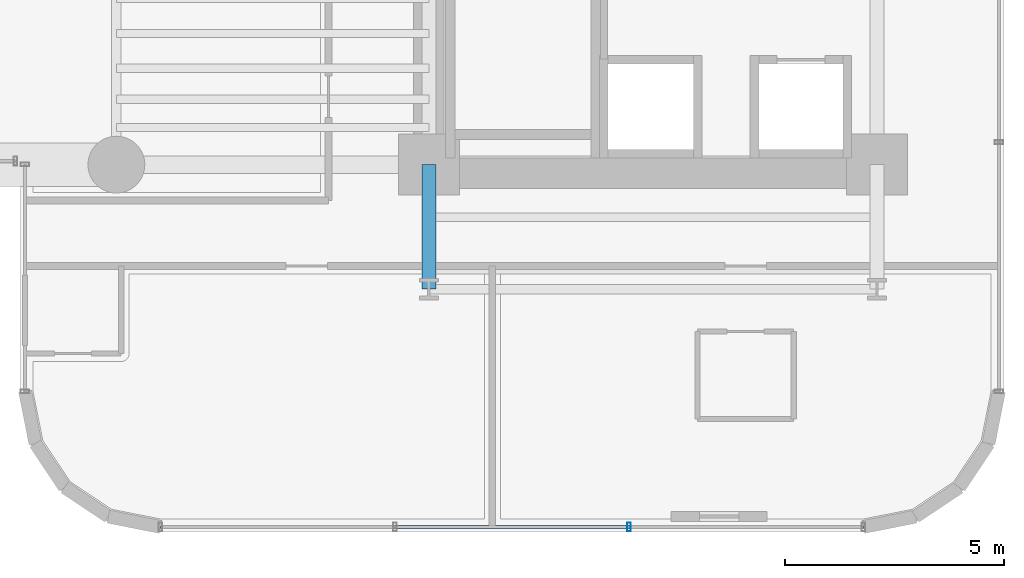
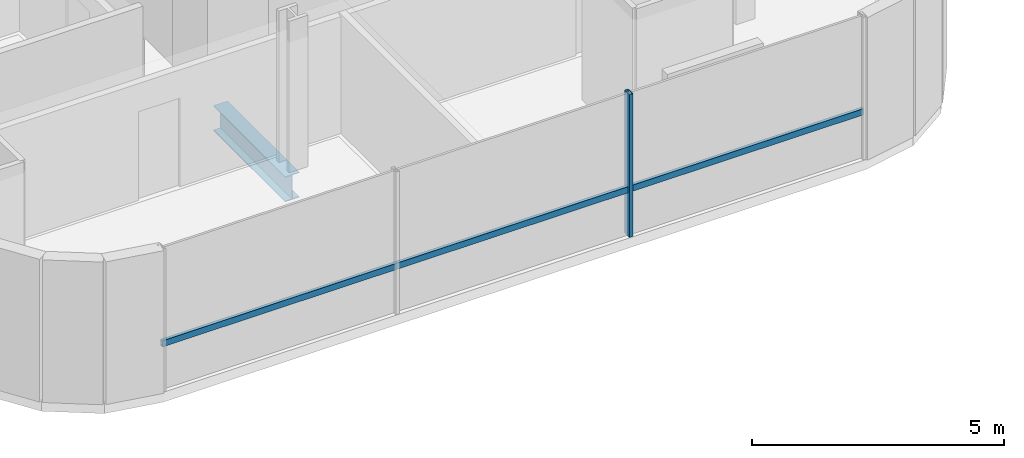
# One storey, part 3 of 42: 2 members, 1 beam, 1 element without a shape of its own.
"""IFC4 building model written with IfcOpenShell, lengths in metres."""

from ifc_helpers import new_model, si_unit, direction, frame, origin, origin_2d, place, context, subcontext, project, spatial, hollow_rectangle, i_section, extrude, source, transform, mapped, material, material_profile, profile_set, type_object, element, aggregate, save


model = new_model("IFC4")

# Units and contexts
model_context = context("Model", 3, precision=1e-05, world=origin(), true_north=direction((0.0, 1.0)))
body_context = subcontext(model_context, "Body", "Model", "MODEL_VIEW")
ifc_project = project(units=[si_unit("LENGTHUNIT", "METRE"), si_unit("AREAUNIT", "SQUARE_METRE"), si_unit("VOLUMEUNIT", "CUBIC_METRE"), si_unit("PLANEANGLEUNIT", "RADIAN"), si_unit("MASSUNIT", "GRAM", prefix="KILO")], contexts=[model_context])

# Site, building, storey
site_placement = place(None, origin())
site = spatial("IfcSite", under=ifc_project, at=site_placement, CompositionType="ELEMENT")
building_placement = place(site_placement, origin())
building = spatial("IfcBuilding", under=site, at=building_placement, Name="Valdorenza Pilgrim Sanctuary Tower", CompositionType="ELEMENT")
storey_placement = place(building_placement, frame((0.0, 0.0, 29.699951171875)))
storey = spatial("IfcBuildingStorey", under=building, at=storey_placement, Name="L06", CompositionType="ELEMENT", Elevation=29.699951171875)

# Beam
ifc_material_1 = material(Name="Steel ASTM A992 Grade 50", Category="steel")
ifc_material_profile_1 = material_profile(ifc_material_1, i_section(OverallWidth=0.323974609375, OverallDepth=0.611083984375, WebThickness=0.0126953125, FlangeThickness=0.01904296875, at=origin_2d()), Name="W24X104")
ifc_profile_set_1 = profile_set([ifc_material_profile_1], Name="Steel ASTM A992 Grade 50")
beam_type = type_object("IfcBeamType", Name="STR-BM-GRD-W24B", PredefinedType="BEAM", material=ifc_profile_set_1)
shared_shape_1 = source(origin(), body_context, "Body", "SweptSolid", [
    extrude(i_section(OverallWidth=0.323974609375, OverallDepth=0.611083984375, WebThickness=0.0126953125, FlangeThickness=0.01904296875, at=origin_2d()), origin(), (0.0, 0.0, 1.0), 2.849853515625),
])
beam_placement = place(storey_placement, frame((-22.64990234375, -13.449951171875, -0.54541015625), z_axis=(0.0, 1.0, 0.0), x_axis=(-1.0, 0.0, 0.0)))
element("IfcBeam", 1, at=beam_placement, inside=storey, type_object=beam_type, Name="L06 Floor Girder WA-S-LW", PredefinedType="BEAM", context=body_context, shape_type="MappedRepresentation", body=[
    mapped(shared_shape_1, transform((0.0, 0.0, 0.0), x_axis=(1.0, 0.0, 0.0), y_axis=(0.0, 1.0, 0.0), z_axis=(0.0, 0.0, 1.0), scale=1.0)),
])

# Curtain wall, members
ifc_material_2 = material(Name="Curtain-wall IGU glazing", Category="glass")
curtain_wall_type = type_object("IfcCurtainWallType", Name="CW-SYS-02", PredefinedType="NOTDEFINED", material=ifc_material_2)
curtain_wall_placement = place(storey_placement, origin())
curtain_wall = element("IfcCurtainWall", 2, at=curtain_wall_placement, inside=storey, type_object=curtain_wall_type, Name="L06 Curtain Wall CW-L06-1-46", PredefinedType="NOTDEFINED")
ifc_material_3 = material(Name="Anodised aluminium AW-6060", Category="aluminium")
ifc_material_profile_2 = material_profile(ifc_material_3, hollow_rectangle(XDim=0.0849609375, YDim=0.199951171875, WallThickness=0.0048828125, at=origin_2d()), Name="ALU-M 200x85x5")
ifc_profile_set_2 = profile_set([ifc_material_profile_2], Name="Anodised aluminium AW-6060")
member_type_1 = type_object("IfcMemberType", Name="CW-MUL-02", PredefinedType="MULLION", material=ifc_profile_set_2)
shared_shape_2 = source(origin(), body_context, "Body", "SweptSolid", [
    extrude(hollow_rectangle(XDim=0.0849609375, YDim=0.199951171875, WallThickness=0.0048828125, at=origin_2d()), origin(), (0.0, 0.0, 1.0), 3.4599609375),
])
member_1_placement = place(storey_placement, frame((-18.0703125, -18.889892578125, 0.0), z_axis=(0.0, 0.0, 1.0), x_axis=(-1.0, 0.0, 0.0)))
member_1 = element("IfcMember", 3, at=member_1_placement, type_object=member_type_1, Name="CW-L06-1-46 Mullion 2", PredefinedType="MULLION", context=body_context, shape_type="MappedRepresentation", body=[
    mapped(shared_shape_2, transform((0.0, 0.0, 0.0), x_axis=(1.0, 0.0, 0.0), y_axis=(0.0, 1.0, 0.0), z_axis=(0.0, 0.0, 1.0), scale=1.0)),
])
ifc_material_profile_3 = material_profile(ifc_material_3, hollow_rectangle(XDim=0.074951171875, YDim=0.14990234375, WallThickness=0.00390625, at=origin_2d()), Name="ALU-T 150x75x4")
ifc_profile_set_3 = profile_set([ifc_material_profile_3], Name="Anodised aluminium AW-6060")
member_type_2 = type_object("IfcMemberType", Name="CW-TRN-02", PredefinedType="USERDEFINED", material=ifc_profile_set_3)
shared_shape_3 = source(origin(), body_context, "Body", "SweptSolid", [
    extrude(hollow_rectangle(XDim=0.074951171875, YDim=0.14990234375, WallThickness=0.00390625, at=origin_2d()), origin(), (0.0, 0.0, 1.0), 16.07861328125),
])
member_2_placement = place(storey_placement, frame((-12.710693359375, -18.889892578125, 1.1201171875), z_axis=(-1.0, 0.0, 0.0), x_axis=(0.0, -1.0, 0.0)))
member_2 = element("IfcMember", 4, at=member_2_placement, type_object=member_type_2, Name="CW-L06-1-46 Transom 1", ObjectType="TRANSOM", PredefinedType="USERDEFINED", context=body_context, shape_type="MappedRepresentation", body=[
    mapped(shared_shape_3, transform((0.0, 0.0, 0.0), x_axis=(1.0, 0.0, 0.0), y_axis=(0.0, 1.0, 0.0), z_axis=(0.0, 0.0, 1.0), scale=1.0)),
])
aggregate(curtain_wall, [member_1, member_2])

save(model, "model.ifc")
